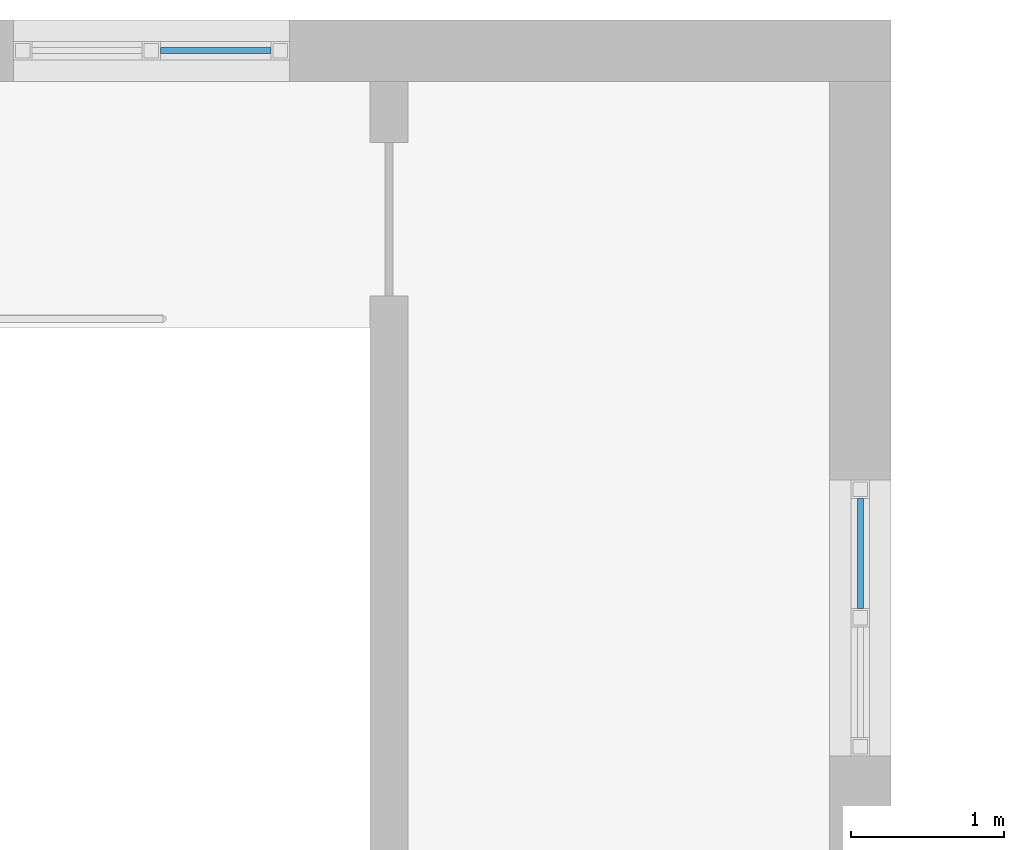
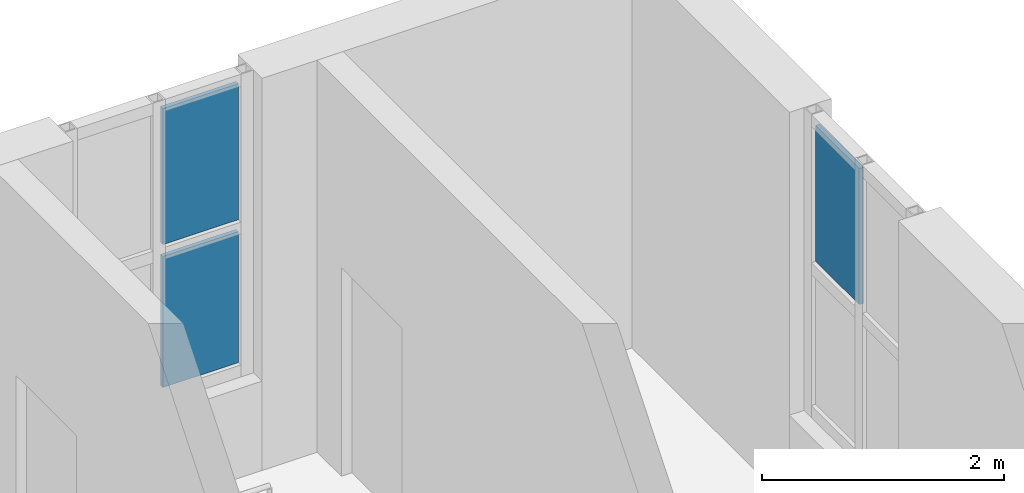
# One storey, part 86 of 121: 3 plates, 2 elements without a shape of their own.
"""IFC4 building model written with IfcOpenShell, lengths in metres."""

from ifc_helpers import new_model, si_unit, direction, frame, origin, origin_2d, place, context, subcontext, project, spatial, rectangle, extrude, material, layer, layer_set, type_object, element, aggregate, save


model = new_model("IFC4")

# Units and contexts
model_context = context("Model", 3, precision=1e-05, world=origin(), true_north=direction((0.0, 1.0)))
body_context = subcontext(model_context, "Body", "Model", "MODEL_VIEW")
ifc_project = project(units=[si_unit("LENGTHUNIT", "METRE"), si_unit("AREAUNIT", "SQUARE_METRE"), si_unit("VOLUMEUNIT", "CUBIC_METRE"), si_unit("PLANEANGLEUNIT", "RADIAN"), si_unit("MASSUNIT", "GRAM", prefix="KILO")], contexts=[model_context])

# Site, building, storey
site_placement = place(None, origin())
site = spatial("IfcSite", under=ifc_project, at=site_placement, CompositionType="ELEMENT")
building_placement = place(site_placement, origin())
building = spatial("IfcBuilding", under=site, at=building_placement, Name="Golden Quay Civic Hall", CompositionType="ELEMENT")
storey_placement = place(building_placement, frame((0.0, 0.0, 18.60009765625)))
storey = spatial("IfcBuildingStorey", under=building, at=storey_placement, Name="L04", CompositionType="ELEMENT", Elevation=18.60009765625)

# Curtain wall, plates
ifc_material_1 = material(Name="Fire-resisting glass and steel", Category="steel")
curtain_wall_type = type_object("IfcCurtainWallType", Name="Fire-resisting glazed stair curtain wall EI 120", PredefinedType="NOTDEFINED", material=ifc_material_1)
curtain_wall_1_placement = place(storey_placement, origin())
curtain_wall_1 = element("IfcCurtainWall", 1, at=curtain_wall_1_placement, inside=storey, type_object=curtain_wall_type, Name="CW4 stair curtain wall", PredefinedType="NOTDEFINED")
ifc_material_2 = material(Name="Fire-resisting laminated glass", Category="glass")
ifc_layer = layer(ifc_material_2, 0.0400390625)
ifc_layer_set = layer_set([ifc_layer], Name="Fire-resisting glazed stair panel 40")
plate_type = type_object("IfcPlateType", Name="Fire-resisting glazed stair panel 40", PredefinedType="CURTAIN_PANEL", material=ifc_layer_set)
plate_1_placement = place(storey_placement, frame((103.794921875, 108.0, 1.02001953125), z_axis=(0.0, 0.0, 1.0), x_axis=(1.0, 0.0, 0.0)))
plate_1 = element("IfcPlate", 2, at=plate_1_placement, type_object=plate_type, Name="CW4 panel 2.1", PredefinedType="CURTAIN_PANEL", context=body_context, shape_type="SweptSolid", body=[
    extrude(rectangle(XDim=0.719970703125, YDim=0.0400390625, at=origin_2d()), origin(), (0.0, 0.0, 1.0), 1.320068359375),
])
plate_2_placement = place(storey_placement, frame((103.794921875, 108.0, 2.4599609375), z_axis=(0.0, 0.0, 1.0), x_axis=(1.0, 0.0, 0.0)))
plate_2 = element("IfcPlate", 3, at=plate_2_placement, type_object=plate_type, Name="CW4 panel 2.2", PredefinedType="CURTAIN_PANEL", context=body_context, shape_type="SweptSolid", body=[
    extrude(rectangle(XDim=0.719970703125, YDim=0.0400390625, at=origin_2d()), origin(), (0.0, 0.0, 1.0), 1.3701171875),
])
aggregate(curtain_wall_1, [plate_1, plate_2])

# Curtain wall, plate
curtain_wall_2_placement = place(storey_placement, origin())
curtain_wall_2 = element("IfcCurtainWall", 4, at=curtain_wall_2_placement, inside=storey, type_object=curtain_wall_type, Name="CW4 stair curtain wall", PredefinedType="NOTDEFINED")
plate_3_placement = place(storey_placement, frame((108.0, 104.719970703125, 2.4599609375), z_axis=(0.0, 0.0, 1.0), x_axis=(0.0, 1.0, 0.0)))
plate_3 = element("IfcPlate", 5, at=plate_3_placement, type_object=plate_type, Name="CW4 panel 2.2", PredefinedType="CURTAIN_PANEL", context=body_context, shape_type="SweptSolid", body=[
    extrude(rectangle(XDim=0.719970703125, YDim=0.0400390625, at=origin_2d()), origin(), (0.0, 0.0, 1.0), 1.3701171875),
])
aggregate(curtain_wall_2, [plate_3])

save(model, "model.ifc")
